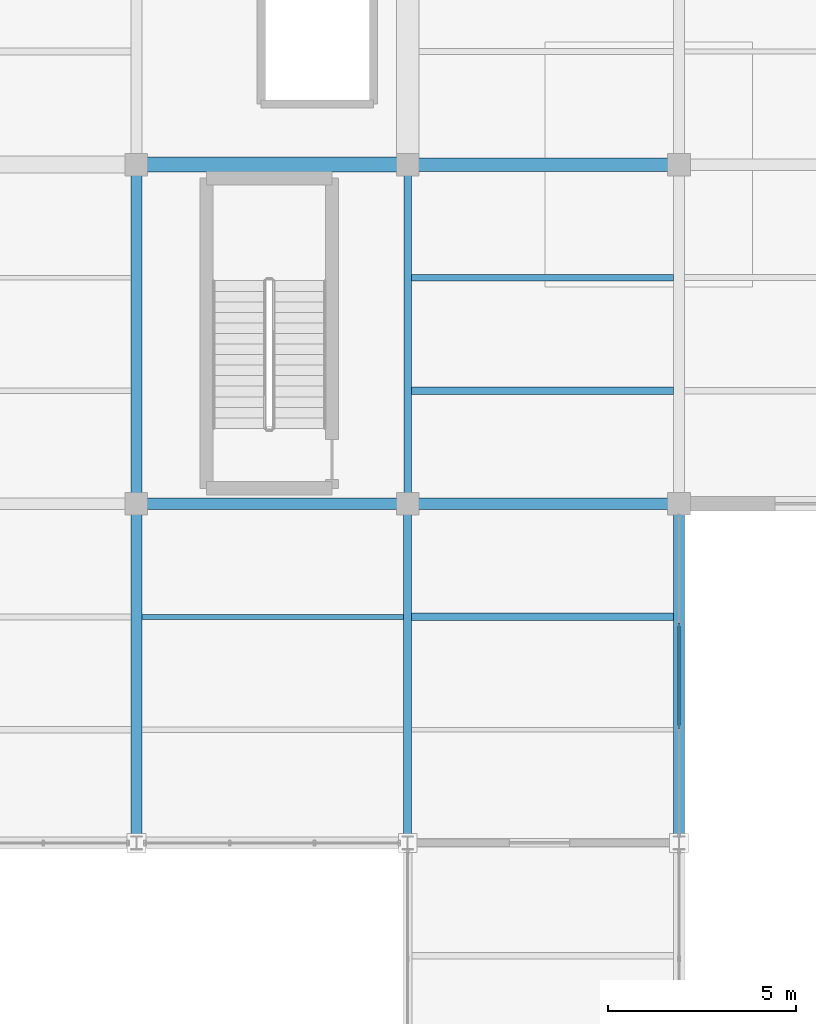
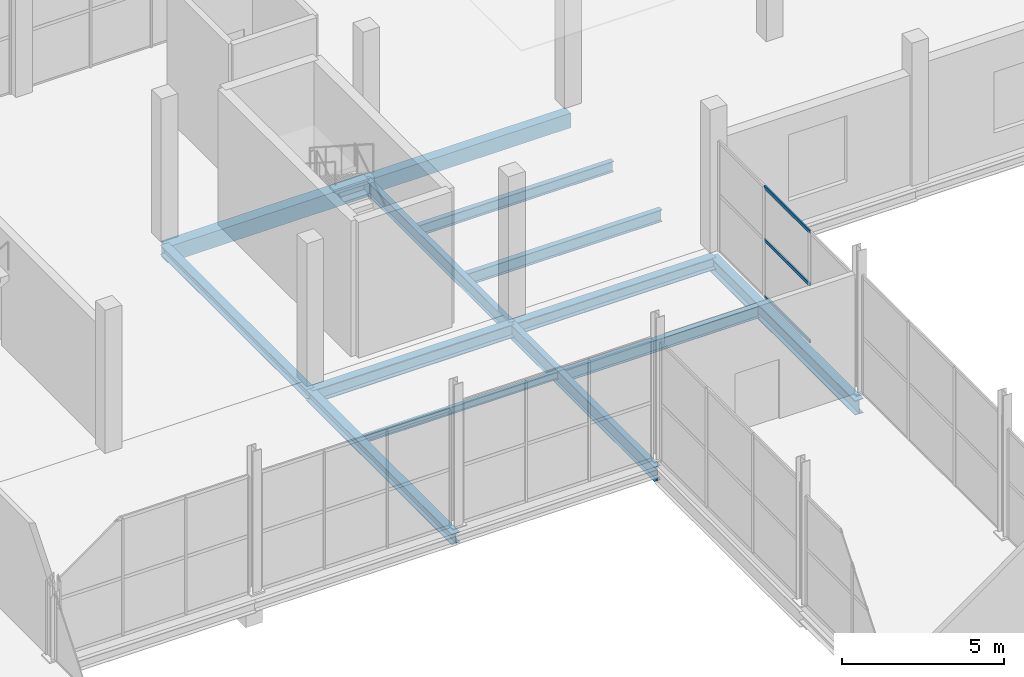
# One storey, part 85 of 141: 13 beams, 3 members, 1 element without a shape of its own.
"""IFC4 building model written with IfcOpenShell, lengths in metres."""

from ifc_helpers import new_model, si_unit, direction, frame, origin, origin_2d, place, context, subcontext, project, spatial, rectangle, hollow_rectangle, i_section, extrude, material, layer, layer_set, material_profile, profile_set, type_object, element, aggregate, save


model = new_model("IFC4")

# Units and contexts
model_context = context("Model", 3, precision=1e-05, world=origin(), true_north=direction((0.0, 1.0)))
body_context = subcontext(model_context, "Body", "Model", "MODEL_VIEW")
ifc_project = project(units=[si_unit("LENGTHUNIT", "METRE"), si_unit("AREAUNIT", "SQUARE_METRE"), si_unit("VOLUMEUNIT", "CUBIC_METRE"), si_unit("PLANEANGLEUNIT", "RADIAN"), si_unit("MASSUNIT", "GRAM", prefix="KILO")], contexts=[model_context])

# Site, building, storey
site_placement = place(None, origin())
site = spatial("IfcSite", under=ifc_project, at=site_placement, CompositionType="ELEMENT")
building_placement = place(site_placement, origin())
building = spatial("IfcBuilding", under=site, at=building_placement, Name="Sundgate Opera House", CompositionType="ELEMENT")
storey_placement = place(building_placement, frame((0.0, 0.0, 11.39990234375)))
storey = spatial("IfcBuildingStorey", under=building, at=storey_placement, Name="L02", CompositionType="ELEMENT", Elevation=11.39990234375)

# Beams
ifc_material_1 = material(Name="Steel S355J2", Category="steel")
ifc_material_profile_1 = material_profile(ifc_material_1, i_section(OverallWidth=0.300048828125, OverallDepth=0.360107421875, WebThickness=0.012451171875, FlangeThickness=0.0224609375, at=origin_2d()), Name="HEB 360")
ifc_profile_set_1 = profile_set([ifc_material_profile_1], Name="Steel S355J2")
beam_type_1 = type_object("IfcBeamType", Name="BM-GR-HEB360", PredefinedType="BEAM", material=ifc_profile_set_1)
beam_1_placement = place(storey_placement, frame((131.39990234375, 69.0, -0.52978515625), z_axis=(0.0, 1.0, 0.0), x_axis=(-1.0, 0.0, 0.0)))
element("IfcBeam", 1, at=beam_1_placement, inside=storey, type_object=beam_type_1, Name="L02 Primary N-S Girder B1908", PredefinedType="BEAM", context=body_context, shape_type="SweptSolid", body=[
    extrude(i_section(OverallWidth=0.300048828125, OverallDepth=0.360107421875, WebThickness=0.012451171875, FlangeThickness=0.0224609375, at=origin_2d()), origin(), (0.0, 0.0, 1.0), 9.0),
])
ifc_material_2 = material(Name="Steel S355J2", Category="steel")
ifc_material_profile_2 = material_profile(ifc_material_2, i_section(OverallWidth=0.300048828125, OverallDepth=0.39990234375, WebThickness=0.013427734375, FlangeThickness=0.02392578125, at=origin_2d()), Name="HEB 400")
ifc_profile_set_2 = profile_set([ifc_material_profile_2], Name="Steel S355J2")
beam_type_2 = type_object("IfcBeamType", Name="BM-GR-HEB400", PredefinedType="BEAM", material=ifc_profile_set_2)
beam_2_placement = place(storey_placement, frame((131.39990234375, 60.0, -0.5498046875), z_axis=(0.0, 1.0, 0.0), x_axis=(-1.0, 0.0, 0.0)))
element("IfcBeam", 2, at=beam_2_placement, inside=storey, type_object=beam_type_2, Name="L02 Primary N-S Girder B1907", PredefinedType="BEAM", context=body_context, shape_type="SweptSolid", body=[
    extrude(i_section(OverallWidth=0.300048828125, OverallDepth=0.39990234375, WebThickness=0.013427734375, FlangeThickness=0.02392578125, at=origin_2d()), origin(), (0.0, 0.0, 1.0), 9.0),
])
ifc_material_3 = material(Name="Steel S355J2", Category="steel")
ifc_material_profile_3 = material_profile(ifc_material_3, i_section(OverallWidth=0.300048828125, OverallDepth=0.449951171875, WebThickness=0.013916015625, FlangeThickness=0.02587890625, at=origin_2d()), Name="HEB 450")
ifc_profile_set_3 = profile_set([ifc_material_profile_3], Name="Steel S355J2")
beam_type_3 = type_object("IfcBeamType", Name="BM-GR-HEB450", PredefinedType="BEAM", material=ifc_profile_set_3)
beam_3_placement = place(storey_placement, frame((138.60009765625, 69.0, -0.574951171875), z_axis=(1.0, 0.0, 0.0), x_axis=(0.0, 1.0, 0.0)))
element("IfcBeam", 3, at=beam_3_placement, inside=storey, type_object=beam_type_3, Name="L02 Primary E-W Girder B2040", PredefinedType="BEAM", context=body_context, shape_type="SweptSolid", body=[
    extrude(i_section(OverallWidth=0.300048828125, OverallDepth=0.449951171875, WebThickness=0.013916015625, FlangeThickness=0.02587890625, at=origin_2d()), origin(), (0.0, 0.0, 1.0), 7.199951171875),
])
ifc_material_4 = material(Name="Steel S355J2", Category="steel")
ifc_material_profile_4 = material_profile(ifc_material_4, i_section(OverallWidth=0.300048828125, OverallDepth=0.5, WebThickness=0.014404296875, FlangeThickness=0.028076171875, at=origin_2d()), Name="HEB 500")
ifc_profile_set_4 = profile_set([ifc_material_profile_4], Name="Steel S355J2")
beam_type_4 = type_object("IfcBeamType", Name="BM-GR-HEB500", PredefinedType="BEAM", material=ifc_profile_set_4)
beam_4_placement = place(storey_placement, frame((131.39990234375, 69.0, -0.599853515625), z_axis=(1.0, 0.0, 0.0), x_axis=(0.0, 1.0, 0.0)))
element("IfcBeam", 4, at=beam_4_placement, inside=storey, type_object=beam_type_4, Name="L02 Primary E-W Girder B2039", PredefinedType="BEAM", context=body_context, shape_type="SweptSolid", body=[
    extrude(i_section(OverallWidth=0.300048828125, OverallDepth=0.5, WebThickness=0.014404296875, FlangeThickness=0.028076171875, at=origin_2d()), origin(), (0.0, 0.0, 1.0), 7.2001953125),
])
ifc_material_5 = material(Name="Steel S355J2", Category="steel")
ifc_material_profile_5 = material_profile(ifc_material_5, i_section(OverallWidth=0.300048828125, OverallDepth=0.550048828125, WebThickness=0.014892578125, FlangeThickness=0.029052734375, at=origin_2d()), Name="HEB 550")
ifc_profile_set_5 = profile_set([ifc_material_profile_5], Name="Steel S355J2")
beam_type_5 = type_object("IfcBeamType", Name="BM-GR-HEB550", PredefinedType="BEAM", material=ifc_profile_set_5)
beam_5_placement = place(storey_placement, frame((145.800048828125, 60.0, -0.625), z_axis=(0.0, 1.0, 0.0), x_axis=(-1.0, 0.0, 0.0)))
element("IfcBeam", 5, at=beam_5_placement, inside=storey, type_object=beam_type_5, Name="L02 Primary N-S Girder B1926", PredefinedType="BEAM", context=body_context, shape_type="SweptSolid", body=[
    extrude(i_section(OverallWidth=0.300048828125, OverallDepth=0.550048828125, WebThickness=0.014892578125, FlangeThickness=0.029052734375, at=origin_2d()), origin(), (0.0, 0.0, 1.0), 9.0),
])
ifc_material_6 = material(Name="Steel S355J2", Category="steel")
ifc_material_profile_6 = material_profile(ifc_material_6, i_section(OverallWidth=0.199951171875, OverallDepth=0.5, WebThickness=0.01025390625, FlangeThickness=0.01611328125, at=origin_2d()), Name="IPE 500")
ifc_profile_set_6 = profile_set([ifc_material_profile_6], Name="Steel S355J2")
beam_type_6 = type_object("IfcBeamType", Name="BM-GR-IPE500", PredefinedType="BEAM", material=ifc_profile_set_6)
beam_6_placement = place(storey_placement, frame((138.60009765625, 69.0, -0.599853515625), z_axis=(0.0, 1.0, 0.0), x_axis=(-1.0, 0.0, 0.0)))
element("IfcBeam", 6, at=beam_6_placement, inside=storey, type_object=beam_type_6, Name="L02 Primary N-S Girder B1917", PredefinedType="BEAM", context=body_context, shape_type="SweptSolid", body=[
    extrude(i_section(OverallWidth=0.199951171875, OverallDepth=0.5, WebThickness=0.01025390625, FlangeThickness=0.01611328125, at=origin_2d()), origin(), (0.0, 0.0, 1.0), 9.0),
])
ifc_material_7 = material(Name="Steel S355J2", Category="steel")
ifc_material_profile_7 = material_profile(ifc_material_7, i_section(OverallWidth=0.2099609375, OverallDepth=0.550048828125, WebThickness=0.010986328125, FlangeThickness=0.01708984375, at=origin_2d()), Name="IPE 550")
ifc_profile_set_7 = profile_set([ifc_material_profile_7], Name="Steel S355J2")
beam_type_7 = type_object("IfcBeamType", Name="BM-GR-IPE550", PredefinedType="BEAM", material=ifc_profile_set_7)
beam_7_placement = place(storey_placement, frame((138.60009765625, 60.0, -0.625), z_axis=(0.0, 1.0, 0.0), x_axis=(-1.0, 0.0, 0.0)))
element("IfcBeam", 7, at=beam_7_placement, inside=storey, type_object=beam_type_7, Name="L02 Primary N-S Girder B1916", PredefinedType="BEAM", context=body_context, shape_type="SweptSolid", body=[
    extrude(i_section(OverallWidth=0.2099609375, OverallDepth=0.550048828125, WebThickness=0.010986328125, FlangeThickness=0.01708984375, at=origin_2d()), origin(), (0.0, 0.0, 1.0), 9.0),
])
ifc_material_8 = material(Name="Steel S355J2", Category="steel")
ifc_material_profile_8 = material_profile(ifc_material_8, i_section(OverallWidth=0.135009765625, OverallDepth=0.27001953125, WebThickness=0.006591796875, FlangeThickness=0.01025390625, at=origin_2d()), Name="IPE 270")
ifc_profile_set_8 = profile_set([ifc_material_profile_8], Name="Steel S355J2")
beam_type_8 = type_object("IfcBeamType", Name="BM-JS-IPE270", PredefinedType="JOIST", material=ifc_profile_set_8)
beam_8_placement = place(storey_placement, frame((131.550048828125, 66.0, -0.48486328125), z_axis=(1.0, 0.0, 0.0), x_axis=(0.0, 1.0, 0.0)))
element("IfcBeam", 8, at=beam_8_placement, inside=storey, type_object=beam_type_8, Name="L02 Secondary Floor Joist B2274", PredefinedType="JOIST", context=body_context, shape_type="SweptSolid", body=[
    extrude(i_section(OverallWidth=0.135009765625, OverallDepth=0.27001953125, WebThickness=0.006591796875, FlangeThickness=0.01025390625, at=origin_2d()), origin(), (0.0, 0.0, 1.0), 6.945068359375),
])
ifc_material_9 = material(Name="Steel S355J2", Category="steel")
ifc_material_profile_9 = material_profile(ifc_material_9, i_section(OverallWidth=0.179931640625, OverallDepth=0.39990234375, WebThickness=0.008544921875, FlangeThickness=0.013427734375, at=origin_2d()), Name="IPE 400")
ifc_profile_set_9 = profile_set([ifc_material_profile_9], Name="Steel S355J2")
beam_type_9 = type_object("IfcBeamType", Name="BM-JS-IPE400", PredefinedType="JOIST", material=ifc_profile_set_9)
beam_9_placement = place(storey_placement, frame((138.699951171875, 75.0, -0.5498046875), z_axis=(1.0, 0.0, 0.0), x_axis=(0.0, 1.0, 0.0)))
element("IfcBeam", 9, at=beam_9_placement, inside=storey, type_object=beam_type_9, Name="L02 Secondary Floor Joist B2298", PredefinedType="JOIST", context=body_context, shape_type="SweptSolid", body=[
    extrude(i_section(OverallWidth=0.179931640625, OverallDepth=0.39990234375, WebThickness=0.008544921875, FlangeThickness=0.013427734375, at=origin_2d()), origin(), (0.0, 0.0, 1.0), 6.949951171875),
])
ifc_material_10 = material(Name="Steel S355J2", Category="steel")
ifc_material_profile_10 = material_profile(ifc_material_10, i_section(OverallWidth=0.18994140625, OverallDepth=0.449951171875, WebThickness=0.009521484375, FlangeThickness=0.0146484375, at=origin_2d()), Name="IPE 450")
ifc_profile_set_10 = profile_set([ifc_material_profile_10], Name="Steel S355J2")
beam_type_10 = type_object("IfcBeamType", Name="BM-JS-IPE450", PredefinedType="JOIST", material=ifc_profile_set_10)
beam_10_placement = place(storey_placement, frame((138.705078125, 66.0, -0.574951171875), z_axis=(1.0, 0.0, 0.0), x_axis=(0.0, 1.0, 0.0)))
element("IfcBeam", 10, at=beam_10_placement, inside=storey, type_object=beam_type_10, Name="L02 Secondary Floor Joist B2276", PredefinedType="JOIST", context=body_context, shape_type="SweptSolid", body=[
    extrude(i_section(OverallWidth=0.18994140625, OverallDepth=0.449951171875, WebThickness=0.009521484375, FlangeThickness=0.0146484375, at=origin_2d()), origin(), (0.0, 0.0, 1.0), 6.94482421875),
])
beam_11_placement = place(storey_placement, frame((138.699951171875, 72.0, -0.574951171875), z_axis=(1.0, 0.0, 0.0), x_axis=(0.0, 1.0, 0.0)))
element("IfcBeam", 11, at=beam_11_placement, inside=storey, type_object=beam_type_10, Name="L02 Secondary Floor Joist B2297", PredefinedType="JOIST", context=body_context, shape_type="SweptSolid", body=[
    extrude(i_section(OverallWidth=0.18994140625, OverallDepth=0.449951171875, WebThickness=0.009521484375, FlangeThickness=0.0146484375, at=origin_2d()), origin(), (0.0, 0.0, 1.0), 6.949951171875),
])
ifc_material_11 = material(Name="Concrete C35/45", Category="concrete")
ifc_material_profile_11 = material_profile(ifc_material_11, rectangle(XDim=0.35009765625, YDim=0.550048828125, at=origin_2d()), Name="RC 350x550")
ifc_profile_set_11 = profile_set([ifc_material_profile_11], Name="Concrete C35/45")
beam_type_11 = type_object("IfcBeamType", Name="BM-RC-350x550", PredefinedType="BEAM", material=ifc_profile_set_11)
beam_12_placement = place(storey_placement, frame((138.60009765625, 78.0, -0.625), z_axis=(1.0, 0.0, 0.0), x_axis=(0.0, 1.0, 0.0)))
element("IfcBeam", 12, at=beam_12_placement, inside=storey, type_object=beam_type_11, Name="L02 Primary E-W Girder B2052", PredefinedType="BEAM", context=body_context, shape_type="SweptSolid", body=[
    extrude(rectangle(XDim=0.35009765625, YDim=0.550048828125, at=origin_2d()), origin(), (0.0, 0.0, 1.0), 7.199951171875),
])
ifc_material_12 = material(Name="Concrete C35/45", Category="concrete")
ifc_material_profile_12 = material_profile(ifc_material_12, rectangle(XDim=0.39990234375, YDim=0.60009765625, at=origin_2d()), Name="RC 400x600")
ifc_profile_set_12 = profile_set([ifc_material_profile_12], Name="Concrete C35/45")
beam_type_12 = type_object("IfcBeamType", Name="BM-RC-400x600", PredefinedType="BEAM", material=ifc_profile_set_12)
beam_13_placement = place(storey_placement, frame((131.39990234375, 78.0, -0.64990234375), z_axis=(1.0, 0.0, 0.0), x_axis=(0.0, 1.0, 0.0)))
element("IfcBeam", 13, at=beam_13_placement, inside=storey, type_object=beam_type_12, Name="L02 Primary E-W Girder B2051", PredefinedType="BEAM", context=body_context, shape_type="SweptSolid", body=[
    extrude(rectangle(XDim=0.39990234375, YDim=0.60009765625, at=origin_2d()), origin(), (0.0, 0.0, 1.0), 7.2001953125),
])

# Curtain wall, members
ifc_material_13 = material(Name="Anodized aluminium and low-iron glass", Category="aluminium")
ifc_layer = layer(ifc_material_13, 0.159912109375)
ifc_layer_set = layer_set([ifc_layer], Name="Anodized aluminium and low-iron glass")
curtain_wall_type = type_object("IfcCurtainWallType", Name="CW-STUDIO-DARK", PredefinedType="NOTDEFINED", material=ifc_layer_set)
curtain_wall_placement = place(storey_placement, origin())
curtain_wall = element("IfcCurtainWall", 14, at=curtain_wall_placement, inside=storey, type_object=curtain_wall_type, Name="L02 Curtain Wall CW069", PredefinedType="NOTDEFINED")
ifc_material_14 = material(Name="Anodized aluminium EN AW-6063", Category="aluminium")
ifc_material_profile_13 = material_profile(ifc_material_14, hollow_rectangle(XDim=0.054931640625, YDim=0.1201171875, WallThickness=0.00390625, at=origin_2d()), Name="CWT 120x55x4")
ifc_profile_set_13 = profile_set([ifc_material_profile_13], Name="Anodized aluminium EN AW-6063")
member_type = type_object("IfcMemberType", Name="CWT-ALU-120x55", PredefinedType="USERDEFINED", material=ifc_profile_set_13)
member_1_placement = place(storey_placement, frame((145.800048828125, 63.033447265625, 0.0), z_axis=(0.0, 1.0, 0.0), x_axis=(-1.0, 0.0, 0.0)))
member_1 = element("IfcMember", 15, at=member_1_placement, type_object=member_type, Name="CW069 Transom 4", ObjectType="TRANSOM", PredefinedType="USERDEFINED", context=body_context, shape_type="SweptSolid", body=[
    extrude(hollow_rectangle(XDim=0.054931640625, YDim=0.1201171875, WallThickness=0.00390625, at=origin_2d()), origin(), (0.0, 0.0, 1.0), 2.80810546875),
])
member_2_placement = place(storey_placement, frame((145.800048828125, 63.033447265625, 2.150146484375), z_axis=(0.0, 1.0, 0.0), x_axis=(-1.0, 0.0, 0.0)))
member_2 = element("IfcMember", 16, at=member_2_placement, type_object=member_type, Name="CW069 Transom 5", ObjectType="TRANSOM", PredefinedType="USERDEFINED", context=body_context, shape_type="SweptSolid", body=[
    extrude(hollow_rectangle(XDim=0.054931640625, YDim=0.1201171875, WallThickness=0.00390625, at=origin_2d()), origin(), (0.0, 0.0, 1.0), 2.80810546875),
])
member_3_placement = place(storey_placement, frame((145.800048828125, 63.033447265625, 4.135009765625), z_axis=(0.0, 1.0, 0.0), x_axis=(-1.0, 0.0, 0.0)))
member_3 = element("IfcMember", 17, at=member_3_placement, type_object=member_type, Name="CW069 Transom 6", ObjectType="TRANSOM", PredefinedType="USERDEFINED", context=body_context, shape_type="SweptSolid", body=[
    extrude(hollow_rectangle(XDim=0.054931640625, YDim=0.1201171875, WallThickness=0.00390625, at=origin_2d()), origin(), (0.0, 0.0, 1.0), 2.80810546875),
])
aggregate(curtain_wall, [member_1, member_2, member_3])

save(model, "model.ifc")
